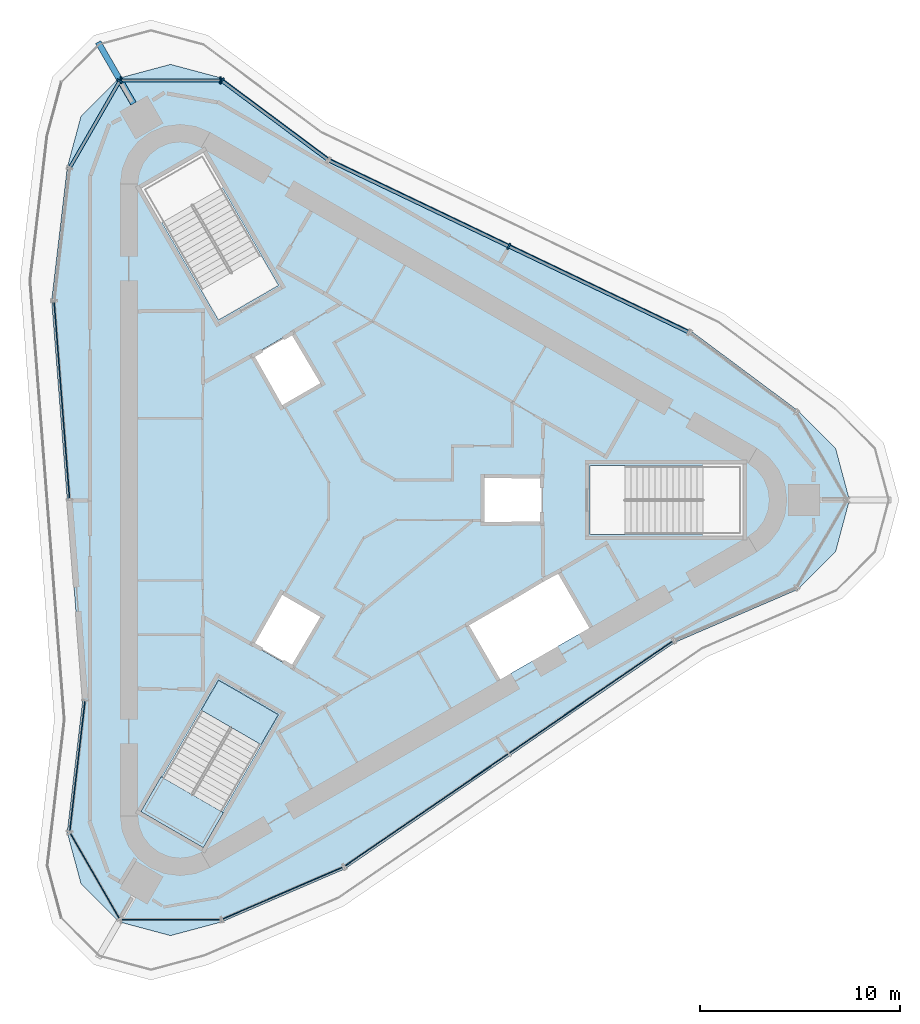
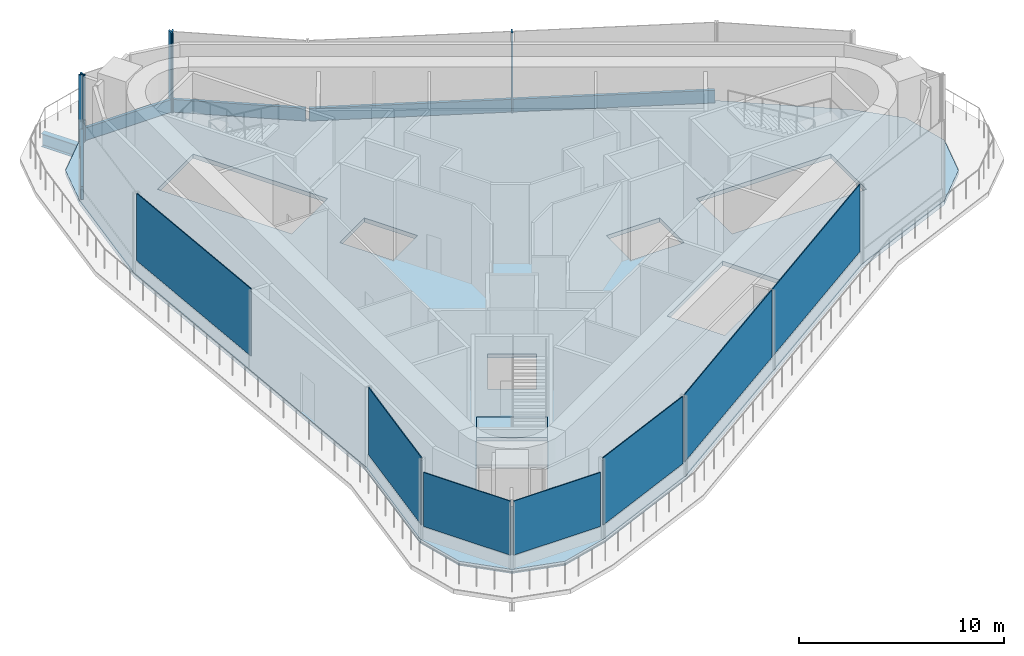
# One storey, part 2 of 9: 10 members, 7 plates, 3 slabs, 1 beam, 11 elements without a shape of their own.
"""IFC4 building model written with IfcOpenShell, lengths in metres."""

from ifc_helpers import new_model, si_unit, direction, frame, origin, origin_2d, place, context, subcontext, project, spatial, polyline, rectangle, i_section, outline, extrude, material, layer, layer_set, material_profile, profile_set, type_object, element, aggregate, save


model = new_model("IFC4")

# Units and contexts
model_context = context("Model", 3, precision=1e-05, world=origin(), true_north=direction((0.0, 1.0)))
body_context = subcontext(model_context, "Body", "Model", "MODEL_VIEW")
ifc_project = project(units=[si_unit("LENGTHUNIT", "METRE"), si_unit("AREAUNIT", "SQUARE_METRE"), si_unit("VOLUMEUNIT", "CUBIC_METRE"), si_unit("PLANEANGLEUNIT", "RADIAN"), si_unit("MASSUNIT", "GRAM", prefix="KILO")], contexts=[model_context])

# Site, building, storey
site_placement = place(None, origin())
site = spatial("IfcSite", under=ifc_project, at=site_placement, CompositionType="ELEMENT")
building_placement = place(site_placement, origin())
building = spatial("IfcBuilding", under=site, at=building_placement, Name="Tanit Gate Tower", CompositionType="ELEMENT")
storey_placement = place(building_placement, frame((0.0, 0.0, 430.300048828125)))
storey = spatial("IfcBuildingStorey", under=building, at=storey_placement, Name="L97", CompositionType="ELEMENT", Elevation=430.300048828125)

# Beam
ifc_material_1 = material(Name="Steel S355", Category="steel")
ifc_material_profile_1 = material_profile(ifc_material_1, i_section(OverallWidth=0.300048828125, OverallDepth=0.7900390625, WebThickness=0.014892578125, FlangeThickness=0.028076171875, FilletRadius=0.030029296875, at=origin_2d()), Name="HEA 800")
ifc_profile_set_1 = profile_set([ifc_material_profile_1], Name="Steel S355")
beam_type = type_object("IfcBeamType", Name="CROWN TERRACE GIRDER HEA 800 S355", PredefinedType="BEAM", material=ifc_profile_set_1)
beam_placement = place(storey_placement, frame((-11.424560546875, 19.787841796875, -0.64501953125), z_axis=(-0.499947514557, 0.866055704149, 0.0), x_axis=(-0.866055704149, -0.499947514557, 0.0)))
element("IfcBeam", 1, at=beam_placement, inside=storey, type_object=beam_type, Name="CROWN TERRACE GIRDER", PredefinedType="BEAM", context=body_context, shape_type="SweptSolid", body=[
    extrude(i_section(OverallWidth=0.300048828125, OverallDepth=0.7900390625, WebThickness=0.014892578125, FlangeThickness=0.028076171875, FilletRadius=0.030029296875, at=origin_2d()), origin(), (0.0, 0.0, 1.0), 3.537109375),
])

# Curtain wall, member
ifc_material_2 = material(Name="Aluminium bronze anodised and glass", Category="aluminium")
curtain_wall_type = type_object("IfcCurtainWallType", Name="Curtain wall plant screen", PredefinedType="NOTDEFINED", material=ifc_material_2)
curtain_wall_1_placement = place(storey_placement, origin())
curtain_wall_1 = element("IfcCurtainWall", 2, at=curtain_wall_1_placement, inside=storey, type_object=curtain_wall_type, Name="Curtain wall L97 NE2", PredefinedType="NOTDEFINED")
ifc_material_3 = material(Name="Aluminium bronze anodised", Category="aluminium")
ifc_material_profile_2 = material_profile(ifc_material_3, rectangle(XDim=0.340087890625, YDim=0.080078125, at=origin_2d()), Name="80x340 bronze mullion")
ifc_profile_set_2 = profile_set([ifc_material_profile_2], Name="Aluminium bronze anodised")
member_type_1 = type_object("IfcMemberType", Name="Mullion 80x340 plant screen", PredefinedType="MULLION", material=ifc_profile_set_2)
member_1_placement = place(storey_placement, frame((7.3046875, 12.65673828125, -0.25), z_axis=(0.0, 0.0, 1.0), x_axis=(-0.431072811819, -0.902317145415, 0.0)))
member_1 = element("IfcMember", 3, at=member_1_placement, type_object=member_type_1, Name="Mullion L97 NE2.2", PredefinedType="MULLION", context=body_context, shape_type="SweptSolid", body=[
    extrude(rectangle(XDim=0.340087890625, YDim=0.080078125, at=origin_2d()), origin(), (0.0, 0.0, 1.0), 5.0),
])

curtain_wall_2_placement = place(storey_placement, origin())
curtain_wall_2 = element("IfcCurtainWall", 4, at=curtain_wall_2_placement, inside=storey, type_object=curtain_wall_type, Name="Curtain wall L97 NE3", PredefinedType="NOTDEFINED")
member_2_placement = place(storey_placement, frame((-7.019775390625, 20.920166015625, -0.25), z_axis=(0.0, 0.0, 1.0), x_axis=(-0.59734052401, -0.801987717098, 0.0)))
member_2 = element("IfcMember", 5, at=member_2_placement, type_object=member_type_1, Name="Mullion L97 NE3.2", PredefinedType="MULLION", context=body_context, shape_type="SweptSolid", body=[
    extrude(rectangle(XDim=0.340087890625, YDim=0.080078125, at=origin_2d()), origin(), (0.0, 0.0, 1.0), 5.0),
])

# Curtain wall, members
curtain_wall_3_placement = place(storey_placement, origin())
curtain_wall_3 = element("IfcCurtainWall", 6, at=curtain_wall_3_placement, inside=storey, type_object=curtain_wall_type, Name="Curtain wall L97 NW.arc1", PredefinedType="NOTDEFINED")
member_3_placement = place(storey_placement, frame((-7.091796875, 20.944091796875, -0.25), z_axis=(0.0, 0.0, 1.0), x_axis=(-0.000471083302, -0.99999988904, 0.0)))
member_3 = element("IfcMember", 7, at=member_3_placement, type_object=member_type_1, Name="Mullion L97 NW.arc1.1", PredefinedType="MULLION", context=body_context, shape_type="SweptSolid", body=[
    extrude(rectangle(XDim=0.340087890625, YDim=0.080078125, at=origin_2d()), origin(), (0.0, 0.0, 1.0), 5.0),
])
member_4_placement = place(storey_placement, frame((-12.053466796875, 20.9462890625, -0.25), z_axis=(0.0, 0.0, 1.0), x_axis=(-0.000471083302, -0.99999988904, 0.0)))
member_4 = element("IfcMember", 8, at=member_4_placement, type_object=member_type_1, Name="Mullion L97 NW.arc1.2", PredefinedType="MULLION", context=body_context, shape_type="SweptSolid", body=[
    extrude(rectangle(XDim=0.340087890625, YDim=0.080078125, at=origin_2d()), origin(), (0.0, 0.0, 1.0), 4.2099609375),
])

# Curtain wall, member
curtain_wall_4_placement = place(storey_placement, origin())
curtain_wall_4 = element("IfcCurtainWall", 9, at=curtain_wall_4_placement, inside=storey, type_object=curtain_wall_type, Name="Curtain wall L97 NW.arc2", PredefinedType="NOTDEFINED")
member_5_placement = place(storey_placement, frame((-12.11328125, 20.911865234375, -0.25), z_axis=(0.0, 0.0, 1.0), x_axis=(0.866624446929, -0.498960988441, 0.0)))
member_5 = element("IfcMember", 10, at=member_5_placement, type_object=member_type_1, Name="Mullion L97 NW.arc2.1", PredefinedType="MULLION", context=body_context, shape_type="SweptSolid", body=[
    extrude(rectangle(XDim=0.340087890625, YDim=0.080078125, at=origin_2d()), origin(), (0.0, 0.0, 1.0), 4.2099609375),
])

# Member
ifc_material_4 = material(Name="Aluminium bronze anodised", Category="aluminium")
ifc_material_profile_3 = material_profile(ifc_material_4, rectangle(XDim=0.159912109375, YDim=1.0, at=origin_2d()), Name="160x1000 bronze transom")
ifc_profile_set_3 = profile_set([ifc_material_profile_3], Name="Aluminium bronze anodised")
member_type_2 = type_object("IfcMemberType", Name="Transom 160x1000 plant screen", PredefinedType="USERDEFINED", material=ifc_profile_set_3)
member_6_placement = place(storey_placement, frame((16.240478515625, 8.3876953125, 0.25), z_axis=(-0.902307988105, 0.431091979284, 0.0), x_axis=(-0.431091979284, -0.902307988105, 0.0)))
member_6 = element("IfcMember", 11, at=member_6_placement, type_object=member_type_2, Name="Transom L97 NE2.1", ObjectType="TRANSOM", PredefinedType="USERDEFINED", context=body_context, shape_type="SweptSolid", body=[
    extrude(rectangle(XDim=0.159912109375, YDim=1.0, at=origin_2d()), origin(), (0.0, 0.0, 1.0), 9.86328125),
])

member_7_placement = place(storey_placement, frame((7.2685546875, 12.674072265625, 0.25), z_axis=(-0.902317616208, 0.431071826359, 0.0), x_axis=(-0.431071826359, -0.902317616208, 0.0)))
member_7 = element("IfcMember", 12, at=member_7_placement, type_object=member_type_2, Name="Transom L97 NE2.2", ObjectType="TRANSOM", PredefinedType="USERDEFINED", context=body_context, shape_type="SweptSolid", body=[
    extrude(rectangle(XDim=0.159912109375, YDim=1.0, at=origin_2d()), origin(), (0.0, 0.0, 1.0), 9.863037109375),
])

aggregate(curtain_wall_1, [member_1, member_6, member_7])

member_8_placement = place(storey_placement, frame((-1.767333984375, 17.008056640625, 0.25), z_axis=(-0.801998382255, 0.597326204733, 0.0), x_axis=(-0.597326204733, -0.801998382255, 0.0)))
member_8 = element("IfcMember", 13, at=member_8_placement, type_object=member_type_2, Name="Transom L97 NE3.1", ObjectType="TRANSOM", PredefinedType="USERDEFINED", context=body_context, shape_type="SweptSolid", body=[
    extrude(rectangle(XDim=0.159912109375, YDim=1.0, at=origin_2d()), origin(), (0.0, 0.0, 1.0), 6.50927734375),
])

aggregate(curtain_wall_2, [member_2, member_8])

member_9_placement = place(storey_placement, frame((-7.1318359375, 20.944091796875, 0.25), z_axis=(-0.999999898699, 0.000450112483, 0.0), x_axis=(-0.000450112483, -0.999999898699, 0.0)))
member_9 = element("IfcMember", 14, at=member_9_placement, type_object=member_type_2, Name="Transom L97 NW.arc1.1", ObjectType="TRANSOM", PredefinedType="USERDEFINED", context=body_context, shape_type="SweptSolid", body=[
    extrude(rectangle(XDim=0.159912109375, YDim=1.0, at=origin_2d()), origin(), (0.0, 0.0, 1.0), 4.881591796875),
])

aggregate(curtain_wall_3, [member_3, member_4, member_9])

member_10_placement = place(storey_placement, frame((-12.13330078125, 20.877197265625, 0.25), z_axis=(-0.498966714889, -0.866621149888, 0.0), x_axis=(0.866621149888, -0.498966714889, 0.0)))
member_10 = element("IfcMember", 15, at=member_10_placement, type_object=member_type_2, Name="Transom L97 NW.arc2.1", ObjectType="TRANSOM", PredefinedType="USERDEFINED", context=body_context, shape_type="SweptSolid", body=[
    extrude(rectangle(XDim=0.159912109375, YDim=1.0, at=origin_2d()), origin(), (0.0, 0.0, 1.0), 4.895263671875),
])

aggregate(curtain_wall_4, [member_5, member_10])

# Slab
ifc_material_5 = material(Name="Concrete C35/45", Category="concrete")
ifc_layer_1 = layer(ifc_material_5, 0.25)
ifc_layer_set_1 = layer_set([ifc_layer_1], Name="CROWN FLOOR SLAB 250 C35/45")
slab_type_1 = type_object("IfcSlabType", Name="CROWN FLOOR SLAB 250 C35/45", PredefinedType="FLOOR", material=ifc_layer_set_1)
slab_1_placement = place(storey_placement, frame((0.0, 0.0, -0.25)))
element("IfcSlab", 16, at=slab_1_placement, inside=storey, type_object=slab_type_1, Name="FLOOR SLAB L97", PredefinedType="FLOOR", context=body_context, shape_type="SweptSolid", body=[
    extrude(outline(polyline([(21.732666015625, 4.466064453125), (23.6201171875, 2.578369140625), (24.31103515625, 0.0), (23.6201171875, -2.578369140625), (21.732666015625, -4.466064453125), (15.597900390625, -7.110595703125), (-0.864013671875, -18.409423828125), (-6.99853515625, -21.053955078125), (-9.5771484375, -21.744873046875), (-12.155517578125, -21.053955078125), (-14.043212890625, -19.16650390625), (-14.73388671875, -16.587890625), (-13.956787109375, -9.952880859375), (-15.510986328125, 9.952880859375), (-14.73388671875, 16.587890625), (-14.043212890625, 19.16650390625), (-12.155517578125, 21.053955078125), (-9.5771484375, 21.744873046875), (-6.99853515625, 21.053955078125), (-1.640869140625, 17.0634765625), (16.375, 8.45654296875), (21.732666015625, 4.466064453125)]), holes=[polyline([(11.3701171875, -1.72998046875), (11.3701171875, 1.72998046875), (18.929931640625, 1.72998046875), (18.929931640625, -1.72998046875), (11.3701171875, -1.72998046875)]), polyline([(9.82080078125, -3.510009765625), (11.44580078125, -6.324462890625), (6.76904296875, -9.0244140625), (5.14404296875, -6.2099609375), (9.82080078125, -3.510009765625)]), polyline([(6.0, -1.199951171875), (6.0, 1.199951171875), (9.0, 1.199951171875), (9.0, -1.199951171875), (6.0, -1.199951171875)]), polyline([(-1.960693359375, 5.796142578125), (-4.039306640625, 4.59619140625), (-5.539306640625, 7.194091796875), (-3.460693359375, 8.394287109375), (-1.960693359375, 5.796142578125)]), polyline([(-4.039306640625, -4.59619140625), (-1.960693359375, -5.796142578125), (-3.460693359375, -8.394287109375), (-5.539306640625, -7.194091796875), (-4.039306640625, -4.59619140625)]), polyline([(-4.186767578125, 10.711669921875), (-7.18310546875, 8.981689453125), (-10.963134765625, 15.52880859375), (-7.966796875, 17.2587890625), (-4.186767578125, 10.711669921875)]), polyline([(-7.18310546875, -8.981689453125), (-4.186767578125, -10.711669921875), (-7.966796875, -17.2587890625), (-10.963134765625, -15.52880859375), (-7.18310546875, -8.981689453125)])]), origin(), (0.0, 0.0, 1.0), 0.25),
])

# Stair, slab
ifc_material_6 = material(Name="Concrete C40/50", Category="concrete")
stair_type = type_object("IfcStairType", Name="INT-STAIR-EXIT", PredefinedType="HALF_TURN_STAIR", material=ifc_material_6)
stair_placement = place(storey_placement, origin())
stair = element("IfcStair", 17, at=stair_placement, inside=storey, type_object=stair_type, Name="L97 STAIR S3", PredefinedType="HALF_TURN_STAIR")
ifc_material_7 = material(Name="Concrete C40/50", Category="concrete")
ifc_layer_2 = layer(ifc_material_7, 0.199951171875)
ifc_layer_set_2 = layer_set([ifc_layer_2], Name="INT-STAIR-LANDING")
slab_type_2 = type_object("IfcSlabType", Name="INT-STAIR-LANDING", PredefinedType="LANDING", material=ifc_layer_set_2)
slab_2_placement = place(storey_placement, frame((0.0, 0.0, 2.300048828125)))
slab_2 = element("IfcSlab", 18, at=slab_2_placement, type_object=slab_type_2, Name="S3 landing 1", PredefinedType="LANDING", context=body_context, shape_type="SweptSolid", body=[
    extrude(outline(polyline([(-10.05126953125, -13.809326171875), (-11.058837890625, -15.554443359375), (-7.941162109375, -17.3544921875), (-6.93359375, -15.609375), (-10.05126953125, -13.809326171875)])), origin(), (0.0, 0.0, 1.0), 0.199951171875),
])
aggregate(stair, [slab_2])

# Slab
slab_3_placement = place(storey_placement, frame((0.0, 0.0, -0.199951171875)))
element("IfcSlab", 19, at=slab_3_placement, inside=storey, type_object=slab_type_2, Name="S3 floor landing", PredefinedType="LANDING", context=body_context, shape_type="SweptSolid", body=[
    extrude(outline(polyline([(-7.179443359375, -8.995361328125), (-8.0419921875, -10.4892578125), (-5.06298828125, -12.209228515625), (-4.200439453125, -10.71533203125), (-7.179443359375, -8.995361328125)])), origin(), (0.0, 0.0, 1.0), 0.199951171875),
])

# Curtain wall, plate
curtain_wall_5_placement = place(storey_placement, origin())
curtain_wall_5 = element("IfcCurtainWall", 20, at=curtain_wall_5_placement, inside=storey, type_object=curtain_wall_type, Name="Curtain wall L97 W2a", PredefinedType="NOTDEFINED")
ifc_material_8 = material(Name="Aluminium bronze anodised louvre", Category="aluminium")
ifc_layer_3 = layer(ifc_material_8, 0.050048828125)
ifc_layer_set_3 = layer_set([ifc_layer_3], Name="Louvre panel 50 plant screen")
plate_type = type_object("IfcPlateType", Name="Louvre panel 50 plant screen", PredefinedType="CURTAIN_PANEL", material=ifc_layer_set_3)
plate_1_placement = place(storey_placement, frame((-15.001953125, 4.97412109375, 0.75), z_axis=(0.0, 0.0, 1.0), x_axis=(0.077838566791, -0.996965976109, 0.0)))
plate_1 = element("IfcPlate", 21, at=plate_1_placement, type_object=plate_type, Name="Louvre panel L97 W2a.1", PredefinedType="CURTAIN_PANEL", context=body_context, shape_type="SweptSolid", body=[
    extrude(rectangle(XDim=9.822998046875, YDim=0.050048828125, at=origin_2d()), origin(), (0.0, 0.0, 1.0), 4.0),
])
aggregate(curtain_wall_5, [plate_1])

curtain_wall_6_placement = place(storey_placement, origin())
curtain_wall_6 = element("IfcCurtainWall", 22, at=curtain_wall_6_placement, inside=storey, type_object=curtain_wall_type, Name="Curtain wall L97 W3", PredefinedType="NOTDEFINED")
plate_2_placement = place(storey_placement, frame((-14.22412109375, -13.26708984375, 0.75), z_axis=(0.0, 0.0, 1.0), x_axis=(-0.116318209953, -0.993211998535, 0.0)))
plate_2 = element("IfcPlate", 23, at=plate_2_placement, type_object=plate_type, Name="Louvre panel L97 W3.1", PredefinedType="CURTAIN_PANEL", context=body_context, shape_type="SweptSolid", body=[
    extrude(rectangle(XDim=6.50927734375, YDim=0.050048828125, at=origin_2d()), origin(), (0.0, 0.0, 1.0), 4.0),
])
aggregate(curtain_wall_6, [plate_2])

curtain_wall_7_placement = place(storey_placement, origin())
curtain_wall_7 = element("IfcCurtainWall", 24, at=curtain_wall_7_placement, inside=storey, type_object=curtain_wall_type, Name="Curtain wall L97 SW.arc1", PredefinedType="NOTDEFINED")
plate_3_placement = place(storey_placement, frame((-13.352783203125, -18.7626953125, 0.75), z_axis=(0.0, 0.0, 1.0), x_axis=(0.499591974413, -0.866260849341, 0.0)))
plate_3 = element("IfcPlate", 25, at=plate_3_placement, type_object=plate_type, Name="Louvre panel L97 SW.arc1.1", PredefinedType="CURTAIN_PANEL", context=body_context, shape_type="SweptSolid", body=[
    extrude(rectangle(XDim=4.881591796875, YDim=0.050048828125, at=origin_2d()), origin(), (0.0, 0.0, 1.0), 3.2099609375),
])
aggregate(curtain_wall_7, [plate_3])

curtain_wall_8_placement = place(storey_placement, origin())
curtain_wall_8 = element("IfcCurtainWall", 26, at=curtain_wall_8_placement, inside=storey, type_object=curtain_wall_type, Name="Curtain wall L97 SW.arc2", PredefinedType="NOTDEFINED")
plate_4_placement = place(storey_placement, frame((-9.565673828125, -20.943359375, 0.75), z_axis=(0.0, 0.0, 1.0), x_axis=(0.999999280801, 0.001199331977, 0.0)))
plate_4 = element("IfcPlate", 27, at=plate_4_placement, type_object=plate_type, Name="Louvre panel L97 SW.arc2.1", PredefinedType="CURTAIN_PANEL", context=body_context, shape_type="SweptSolid", body=[
    extrude(rectangle(XDim=4.895263671875, YDim=0.050048828125, at=origin_2d()), origin(), (0.0, 0.0, 1.0), 3.2099609375),
])
aggregate(curtain_wall_8, [plate_4])

curtain_wall_9_placement = place(storey_placement, origin())
curtain_wall_9 = element("IfcCurtainWall", 28, at=curtain_wall_9_placement, inside=storey, type_object=curtain_wall_type, Name="Curtain wall L97 SE1", PredefinedType="NOTDEFINED")
plate_5_placement = place(storey_placement, frame((-3.980224609375, -19.6220703125, 0.75), z_axis=(0.0, 0.0, 1.0), x_axis=(0.918305927051, 0.395871474525, 0.0)))
plate_5 = element("IfcPlate", 29, at=plate_5_placement, type_object=plate_type, Name="Louvre panel L97 SE1.1", PredefinedType="CURTAIN_PANEL", context=body_context, shape_type="SweptSolid", body=[
    extrude(rectangle(XDim=6.5, YDim=0.050048828125, at=origin_2d()), origin(), (0.0, 0.0, 1.0), 4.0),
])
aggregate(curtain_wall_9, [plate_5])

# Curtain wall, plates
curtain_wall_10_placement = place(storey_placement, origin())
curtain_wall_10 = element("IfcCurtainWall", 30, at=curtain_wall_10_placement, inside=storey, type_object=curtain_wall_type, Name="Curtain wall L97 SE2", PredefinedType="NOTDEFINED")
plate_6_placement = place(storey_placement, frame((3.209716796875, -15.4677734375, 0.75), z_axis=(0.0, 0.0, 1.0), x_axis=(0.824478578624, 0.56589316429, 0.0)))
plate_6 = element("IfcPlate", 31, at=plate_6_placement, type_object=plate_type, Name="Louvre panel L97 SE2.1", PredefinedType="CURTAIN_PANEL", context=body_context, shape_type="SweptSolid", body=[
    extrude(rectangle(XDim=9.863037109375, YDim=0.050048828125, at=origin_2d()), origin(), (0.0, 0.0, 1.0), 4.0),
])
plate_7_placement = place(storey_placement, frame((11.40771484375, -9.841064453125, 0.75), z_axis=(0.0, 0.0, 1.0), x_axis=(0.824478578624, 0.56589316429, 0.0)))
plate_7 = element("IfcPlate", 32, at=plate_7_placement, type_object=plate_type, Name="Louvre panel L97 SE2.2", PredefinedType="CURTAIN_PANEL", context=body_context, shape_type="SweptSolid", body=[
    extrude(rectangle(XDim=9.863037109375, YDim=0.050048828125, at=origin_2d()), origin(), (0.0, 0.0, 1.0), 4.0),
])
aggregate(curtain_wall_10, [plate_6, plate_7])

save(model, "model.ifc")
